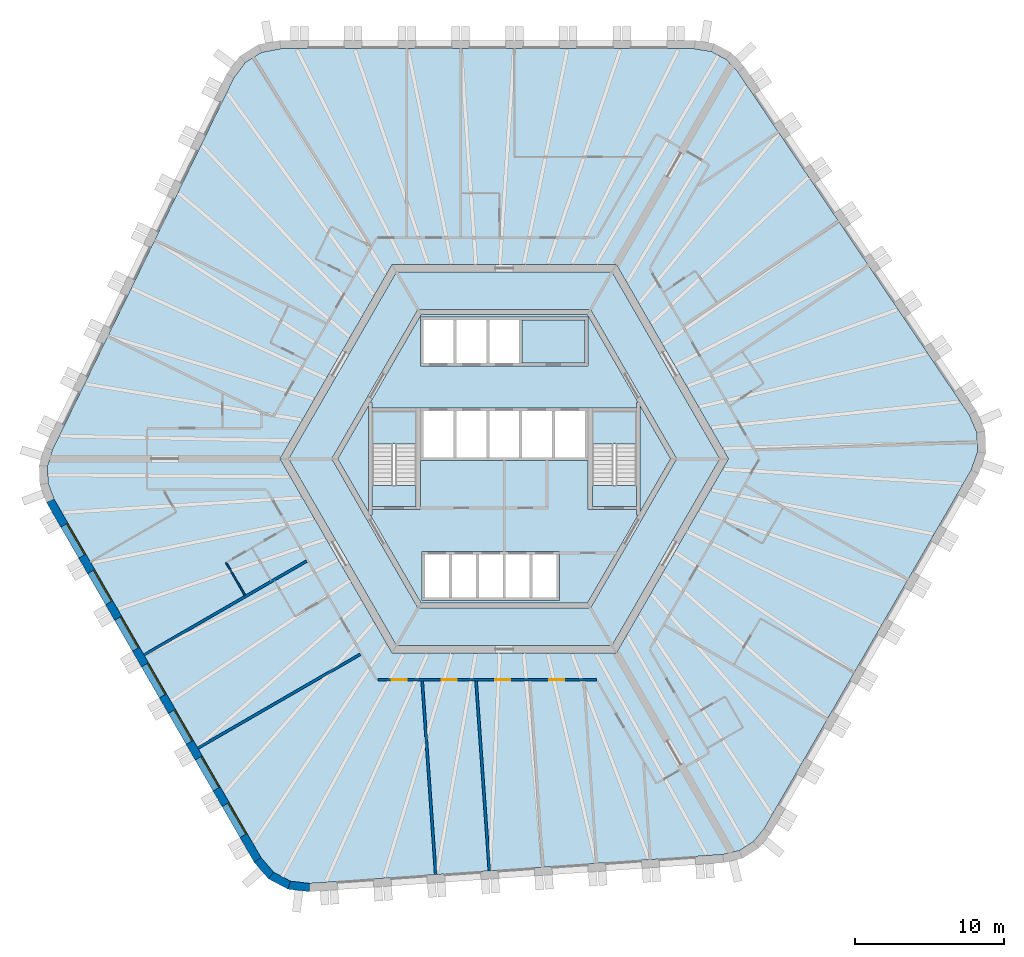
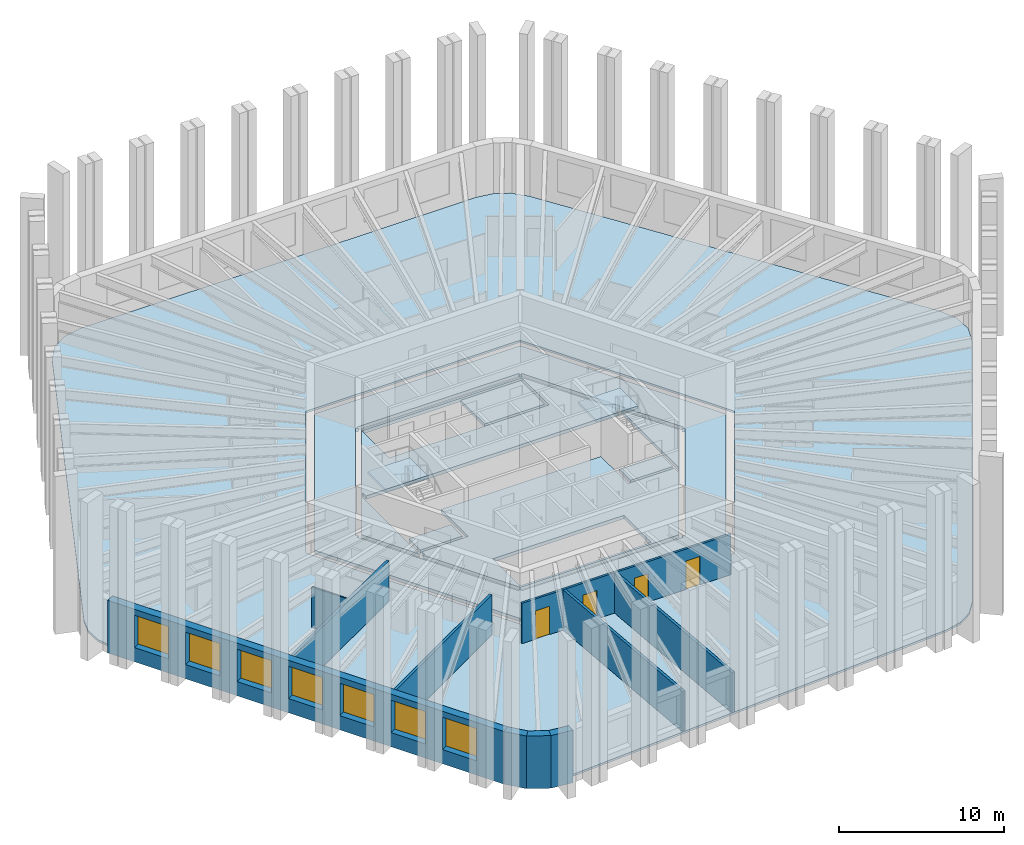
# One storey, part 2 of 10: 11 slabs, 10 walls, 7 windows, 4 doors, 11 openings, 2 elements without a shape of their own.
"""IFC4 building model written with IfcOpenShell, lengths in metres."""

from ifc_helpers import new_model, si_unit, direction, frame, frame_2d, origin, place, context, subcontext, project, spatial, polyline, rectangle, outline, extrude, material, layer, layer_set, type_object, element, fill, aggregate, save


model = new_model("IFC4")

# Units and contexts
model_context = context("Model", 3, precision=1e-05, world=origin(), true_north=direction((0.0, 1.0)))
body_context = subcontext(model_context, "Body", "Model", "MODEL_VIEW")
ifc_project = project(units=[si_unit("LENGTHUNIT", "METRE"), si_unit("AREAUNIT", "SQUARE_METRE"), si_unit("VOLUMEUNIT", "CUBIC_METRE"), si_unit("PLANEANGLEUNIT", "RADIAN"), si_unit("MASSUNIT", "GRAM", prefix="KILO")], contexts=[model_context])

# Site, building, storey
site_placement = place(None, origin())
site = spatial("IfcSite", under=ifc_project, at=site_placement, CompositionType="ELEMENT")
building_placement = place(site_placement, origin())
building = spatial("IfcBuilding", under=site, at=building_placement, Name="Tarnside Tower", CompositionType="ELEMENT")
storey_placement = place(building_placement, frame((0.0, 0.0, 226.800048828125)))
storey = spatial("IfcBuildingStorey", under=building, at=storey_placement, Name="L54", CompositionType="ELEMENT", Elevation=226.800048828125)

# Slabs
ifc_material_1 = material(Name="Concrete C35/45", Category="concrete")
ifc_layer_1 = layer(ifc_material_1, 0.14990234375)
ifc_layer_set_1 = layer_set([ifc_layer_1], Name="Composite floor slab 150")
slab_type_1 = type_object("IfcSlabType", Name="Composite floor slab 150", PredefinedType="FLOOR", material=ifc_layer_set_1)
slab_1_placement = place(storey_placement, frame((0.0, 0.0, -0.150146484375)))
element("IfcSlab", 1, at=slab_1_placement, inside=storey, type_object=slab_type_1, Name="Floor slab L54", PredefinedType="FLOOR", context=body_context, shape_type="SweptSolid", body=[
    extrude(outline(polyline([(13.864013671875, 27.264892578125), (14.85107421875, 26.740234375), (15.6337890625, 25.91064453125), (31.12890625, 2.938232421875), (31.644287109375, 1.7431640625), (31.68896484375, 0.468505859375), (31.258056640625, -0.759521484375), (17.403076171875, -24.7568359375), (16.68017578125, -25.63916015625), (15.732177734375, -26.2314453125), (14.622314453125, -26.494384765625), (-13.02001953125, -28.427490234375), (-14.3125, -28.2763671875), (-15.438720703125, -27.677490234375), (-16.286865234375, -26.6904296875), (-30.1416015625, -2.693115234375), (-30.544189453125, -1.6259765625), (-30.583251953125, -0.5087890625), (-30.256103515625, 0.583984375), (-18.10888671875, 25.4892578125), (-17.331787109375, 26.533203125), (-16.250244140625, 27.208984375), (-14.97119140625, 27.449951171875), (12.738525390625, 27.449951171875), (13.864013671875, 27.264892578125)]), holes=[polyline([(-15.010986328125, 0.0), (-7.505615234375, -13.0), (7.505615234375, -13.0), (15.010986328125, 0.0), (7.505615234375, 13.0), (-7.505615234375, 13.0), (-15.010986328125, 0.0)])]), origin(), (0.0, 0.0, 1.0), 0.150146484375),
])
ifc_material_2 = material(Name="Concrete C40/50", Category="concrete")
ifc_layer_2 = layer(ifc_material_2, 0.25)
ifc_layer_set_2 = layer_set([ifc_layer_2], Name="Core slab C40/50")
slab_type_2 = type_object("IfcSlabType", Name="Core slab C40/50", PredefinedType="FLOOR", material=ifc_layer_set_2)
slab_2_placement = place(storey_placement, frame((0.0, 0.0, -0.25)))
element("IfcSlab", 2, at=slab_2_placement, inside=storey, type_object=slab_type_2, Name="L54 core floor slab 1", PredefinedType="FLOOR", context=body_context, shape_type="SweptSolid", body=[
    extrude(outline(polyline([(-7.216796875, 12.5), (7.216796875, 12.5), (14.433837890625, 0.0), (7.216796875, -12.5), (-7.216796875, -12.5), (-14.433837890625, 0.0), (-7.216796875, 12.5)]), holes=[polyline([(5.823974609375, -9.91259765625), (11.49658203125, -0.08740234375), (11.344970703125, 0.0), (11.49658203125, 0.08740234375), (5.823974609375, 9.91259765625), (5.672607421875, 9.824951171875), (5.672607421875, 10.0), (-5.672607421875, 10.0), (-5.672607421875, 9.824951171875), (-5.823974609375, 9.91259765625), (-11.49658203125, 0.08740234375), (-11.344970703125, 0.0), (-11.49658203125, -0.08740234375), (-5.823974609375, -9.91259765625), (-5.672607421875, -9.824951171875), (-5.672607421875, -10.0), (5.672607421875, -10.0), (5.672607421875, -9.824951171875), (5.823974609375, -9.91259765625)])]), origin(), (0.0, 0.0, 1.0), 0.25),
])
slab_3_placement = place(storey_placement, frame((0.0, 0.0, -0.25)))
element("IfcSlab", 3, at=slab_3_placement, inside=storey, type_object=slab_type_2, Name="L54 core floor slab 2", PredefinedType="FLOOR", context=body_context, shape_type="SweptSolid", body=[
    extrude(outline(polyline([(-8.97509765625, 3.7548828125), (-5.5712890625, 9.64990234375), (5.5712890625, 9.64990234375), (8.97509765625, 3.7548828125), (8.85009765625, 3.7548828125), (8.85009765625, 3.39990234375), (5.89990234375, 3.39990234375), (5.60009765625, 3.39990234375), (5.60009765625, 3.39990234375), (-5.60009765625, 3.39990234375), (-5.89990234375, 3.39990234375), (-8.85009765625, 3.39990234375), (-8.85009765625, 3.7548828125), (-8.97509765625, 3.7548828125)]), holes=[polyline([(-5.60009765625, 6.199951171875), (5.60009765625, 6.199951171875), (5.60009765625, 6.39990234375), (5.60009765625, 9.300048828125), (5.60009765625, 9.5), (-5.60009765625, 9.5), (-5.60009765625, 9.300048828125), (-5.60009765625, 6.39990234375), (-5.60009765625, 6.199951171875)])]), origin(), (0.0, 0.0, 1.0), 0.25),
])
slab_4_placement = place(storey_placement, frame((0.0, 0.0, -0.25)))
element("IfcSlab", 4, at=slab_4_placement, inside=storey, type_object=slab_type_2, Name="L54 core floor slab 3", PredefinedType="FLOOR", context=body_context, shape_type="SweptSolid", body=[
    extrude(outline(polyline([(5.60009765625, -3.39990234375), (5.89990234375, -3.39990234375), (8.85009765625, -3.39990234375), (8.85009765625, -3.7548828125), (8.97509765625, -3.7548828125), (5.5712890625, -9.64990234375), (-5.5712890625, -9.64990234375), (-8.97509765625, -3.7548828125), (-8.85009765625, -3.7548828125), (-8.85009765625, -3.39990234375), (-5.89990234375, -3.39990234375), (-5.60009765625, -3.39990234375), (-5.60009765625, -0.10009765625), (5.60009765625, -0.10009765625), (5.60009765625, -3.39990234375)]), holes=[polyline([(-5.5, -9.300048828125), (-5.5, -9.5), (3.699951171875, -9.5), (3.699951171875, -9.300048828125), (3.699951171875, -6.39990234375), (3.699951171875, -6.199951171875), (-5.5, -6.199951171875), (-5.5, -6.39990234375), (-5.5, -9.300048828125)])]), origin(), (0.0, 0.0, 1.0), 0.25),
])
slab_5_placement = place(storey_placement, frame((0.0, 0.0, -0.25)))
element("IfcSlab", 5, at=slab_5_placement, inside=storey, type_object=slab_type_2, Name="L54 core floor slab 4", PredefinedType="FLOOR", context=body_context, shape_type="SweptSolid", body=[
    extrude(outline(polyline([(-11.142822265625, 0.0), (-9.10009765625, 3.538330078125), (-9.10009765625, -3.538330078125), (-11.142822265625, 0.0)])), origin(), (0.0, 0.0, 1.0), 0.25),
])
slab_6_placement = place(storey_placement, frame((0.0, 0.0, -0.25)))
element("IfcSlab", 6, at=slab_6_placement, inside=storey, type_object=slab_type_2, Name="L54 core floor slab 5", PredefinedType="FLOOR", context=body_context, shape_type="SweptSolid", body=[
    extrude(outline(polyline([(-8.85009765625, -1.800048828125), (-5.89990234375, -1.800048828125), (-5.89990234375, -3.199951171875), (-8.85009765625, -3.199951171875), (-8.85009765625, -1.800048828125)])), origin(), (0.0, 0.0, 1.0), 0.25),
])
slab_7_placement = place(storey_placement, frame((0.0, 0.0, -0.25)))
element("IfcSlab", 7, at=slab_7_placement, inside=storey, type_object=slab_type_2, Name="L54 core floor slab 6", PredefinedType="FLOOR", context=body_context, shape_type="SweptSolid", body=[
    extrude(outline(polyline([(5.89990234375, -3.199951171875), (5.89990234375, -1.800048828125), (8.85009765625, -1.800048828125), (8.85009765625, -3.199951171875), (5.89990234375, -3.199951171875)])), origin(), (0.0, 0.0, 1.0), 0.25),
])
slab_8_placement = place(storey_placement, frame((0.0, 0.0, -0.25)))
element("IfcSlab", 8, at=slab_8_placement, inside=storey, type_object=slab_type_2, Name="L54 core floor slab 7", PredefinedType="FLOOR", context=body_context, shape_type="SweptSolid", body=[
    extrude(outline(polyline([(9.10009765625, -3.538330078125), (9.10009765625, 3.538330078125), (11.142822265625, 0.0), (9.10009765625, -3.538330078125)])), origin(), (0.0, 0.0, 1.0), 0.25),
])
slab_9_placement = place(storey_placement, frame((0.0, 0.0, -0.25)))
element("IfcSlab", 9, at=slab_9_placement, inside=storey, type_object=slab_type_2, Name="L54 core floor slab 8", PredefinedType="FLOOR", context=body_context, shape_type="SweptSolid", body=[
    extrude(outline(polyline([(5.39990234375, 9.300048828125), (5.39990234375, 6.39990234375), (1.199951171875, 6.39990234375), (1.199951171875, 9.300048828125), (5.39990234375, 9.300048828125)])), origin(), (0.0, 0.0, 1.0), 0.25),
])

# Stair, slab
stair_type = type_object("IfcStairType", Name="Exit stair 1400 clear", PredefinedType="HALF_TURN_STAIR", material=ifc_material_2)
stair_1_placement = place(storey_placement, origin())
stair_1 = element("IfcStair", 10, at=stair_1_placement, inside=storey, type_object=stair_type, Name="L54 Exit stair 1", PredefinedType="HALF_TURN_STAIR")
ifc_layer_3 = layer(ifc_material_2, 0.199951171875)
ifc_layer_set_3 = layer_set([ifc_layer_3], Name="Stair landing 200 C40/50")
slab_type_3 = type_object("IfcSlabType", Name="Stair landing 200 C40/50", PredefinedType="LANDING", material=ifc_layer_set_3)
slab_10_placement = place(storey_placement, frame((0.0, 0.0, 1.75)))
slab_10 = element("IfcSlab", 11, at=slab_10_placement, type_object=slab_type_3, Name="ST1 landing 1", PredefinedType="LANDING", context=body_context, shape_type="SweptSolid", body=[
    extrude(outline(polyline([(8.85009765625, 1.0), (8.85009765625, 3.199951171875), (5.89990234375, 3.199951171875), (5.89990234375, 1.0), (8.85009765625, 1.0)])), origin(), (0.0, 0.0, 1.0), 0.199951171875),
])
aggregate(stair_1, [slab_10])

stair_2_placement = place(storey_placement, origin())
stair_2 = element("IfcStair", 12, at=stair_2_placement, inside=storey, type_object=stair_type, Name="L54 Exit stair 2", PredefinedType="HALF_TURN_STAIR")
slab_11_placement = place(storey_placement, frame((0.0, 0.0, 1.75)))
slab_11 = element("IfcSlab", 13, at=slab_11_placement, type_object=slab_type_3, Name="ST2 landing 1", PredefinedType="LANDING", context=body_context, shape_type="SweptSolid", body=[
    extrude(outline(polyline([(-5.89990234375, 1.0), (-5.89990234375, 3.199951171875), (-8.85009765625, 3.199951171875), (-8.85009765625, 1.0), (-5.89990234375, 1.0)])), origin(), (0.0, 0.0, 1.0), 0.199951171875),
])
aggregate(stair_2, [slab_11])

# Wall, openings, doors
ifc_material_3 = material(Name="Gypsum board partition on steel studs", Category="steel")
ifc_layer_4 = layer(ifc_material_3, 0.14990234375)
ifc_layer_set_4 = layer_set([ifc_layer_4], Name="Corridor wall 150 EI 60")
wall_type_1 = type_object("IfcWallType", Name="Corridor wall 150 EI 60", PredefinedType="PARTITIONING", material=ifc_layer_set_4)
wall_1_placement = place(storey_placement, frame((-8.458251953125, -14.800048828125, 0.0), z_axis=(0.0, 0.0, 1.0), x_axis=(1.0, 0.0, 0.0)))
wall_1 = element("IfcWall", 14, at=wall_1_placement, inside=storey, type_object=wall_type_1, Name="Corridor wall 18026", PredefinedType="PARTITIONING", context=body_context, shape_type="SweptSolid", body=[
    extrude(rectangle(XDim=14.635986328125, YDim=0.14990234375, at=frame_2d((7.31787109375, 0.0))), origin(), (0.0, 0.0, 1.0), 2.98779296875),
])
opening_1_placement = place(wall_1_placement, frame((0.936279296875, 0.0, 0.0)))
opening_1 = element("IfcOpeningElement", 15, at=opening_1_placement, cuts=wall_1, Name="Opening D-E1", PredefinedType="OPENING", context=body_context, shape_type="SweptSolid", body=[
    extrude(rectangle(XDim=1.0, YDim=2.10009765625, at=frame_2d((0.5, 1.050048828125))), frame((0.0, 0.0849609375, 0.0), z_axis=(0.0, -1.0, 0.0), x_axis=(1.0, 0.0, 0.0)), (0.0, 0.0, 1.0), 0.169921875),
])
opening_2_placement = place(wall_1_placement, frame((4.263671875, 0.0, 0.0)))
opening_2 = element("IfcOpeningElement", 16, at=opening_2_placement, cuts=wall_1, Name="Opening D-E1", PredefinedType="OPENING", context=body_context, shape_type="SweptSolid", body=[
    extrude(rectangle(XDim=1.0, YDim=2.10009765625, at=frame_2d((0.5, 1.050048828125))), frame((0.0, 0.0849609375, 0.0), z_axis=(0.0, -1.0, 0.0), x_axis=(1.0, 0.0, 0.0)), (0.0, 0.0, 1.0), 0.169921875),
])
opening_3_placement = place(wall_1_placement, frame((7.872314453125, 0.0, 0.0)))
opening_3 = element("IfcOpeningElement", 17, at=opening_3_placement, cuts=wall_1, Name="Opening D-E1", PredefinedType="OPENING", context=body_context, shape_type="SweptSolid", body=[
    extrude(rectangle(XDim=1.0, YDim=2.10009765625, at=frame_2d((0.5, 1.050048828125))), frame((0.0, 0.0849609375, 0.0), z_axis=(0.0, -1.0, 0.0), x_axis=(1.0, 0.0, 0.0)), (0.0, 0.0, 1.0), 0.169921875),
])
opening_4_placement = place(wall_1_placement, frame((11.481201171875, 0.0, 0.0)))
opening_4 = element("IfcOpeningElement", 18, at=opening_4_placement, cuts=wall_1, Name="Opening D-E1", PredefinedType="OPENING", context=body_context, shape_type="SweptSolid", body=[
    extrude(rectangle(XDim=1.0, YDim=2.10009765625, at=frame_2d((0.5, 1.050048828125))), frame((0.0, 0.0849609375, 0.0), z_axis=(0.0, -1.0, 0.0), x_axis=(1.0, 0.0, 0.0)), (0.0, 0.0, 1.0), 0.169921875),
])
ifc_material_4 = material(Name="Timber door leaf", Category="wood")
door_type = type_object("IfcDoorType", Name="Unit entrance door 1000 FD30S", OperationType="NOTDEFINED", PredefinedType="DOOR", material=ifc_material_4)
door_1_placement = place(opening_1_placement, origin())
door_1 = element("IfcDoor", 19, at=door_1_placement, inside=storey, type_object=door_type, Name="Unit door 18018", OperationType="SINGLE_SWING_RIGHT", OverallHeight=2.10009765625, OverallWidth=1.0, PredefinedType="DOOR", context=body_context, shape_type="SweptSolid", body=[
    extrude(rectangle(XDim=1.0, YDim=2.10009765625, at=frame_2d((0.5, 1.050048828125))), frame((0.0, 0.02490234375, 0.0), z_axis=(0.0, -1.0, 0.0), x_axis=(1.0, 0.0, 0.0)), (0.0, 0.0, 1.0), 0.050048828125),
])
fill(opening_1, door_1)
door_2_placement = place(opening_2_placement, origin())
door_2 = element("IfcDoor", 20, at=door_2_placement, inside=storey, type_object=door_type, Name="Unit door 18019", OperationType="SINGLE_SWING_RIGHT", OverallHeight=2.10009765625, OverallWidth=1.0, PredefinedType="DOOR", context=body_context, shape_type="SweptSolid", body=[
    extrude(rectangle(XDim=1.0, YDim=2.10009765625, at=frame_2d((0.5, 1.050048828125))), frame((0.0, 0.02490234375, 0.0), z_axis=(0.0, -1.0, 0.0), x_axis=(1.0, 0.0, 0.0)), (0.0, 0.0, 1.0), 0.050048828125),
])
fill(opening_2, door_2)
door_3_placement = place(opening_3_placement, origin())
door_3 = element("IfcDoor", 21, at=door_3_placement, inside=storey, type_object=door_type, Name="Unit door 18020", OperationType="SINGLE_SWING_RIGHT", OverallHeight=2.10009765625, OverallWidth=1.0, PredefinedType="DOOR", context=body_context, shape_type="SweptSolid", body=[
    extrude(rectangle(XDim=1.0, YDim=2.10009765625, at=frame_2d((0.5, 1.050048828125))), frame((0.0, 0.02490234375, 0.0), z_axis=(0.0, -1.0, 0.0), x_axis=(1.0, 0.0, 0.0)), (0.0, 0.0, 1.0), 0.050048828125),
])
fill(opening_3, door_3)
door_4_placement = place(opening_4_placement, origin())
door_4 = element("IfcDoor", 22, at=door_4_placement, inside=storey, type_object=door_type, Name="Unit door 18021", OperationType="SINGLE_SWING_RIGHT", OverallHeight=2.10009765625, OverallWidth=1.0, PredefinedType="DOOR", context=body_context, shape_type="SweptSolid", body=[
    extrude(rectangle(XDim=1.0, YDim=2.10009765625, at=frame_2d((0.5, 1.050048828125))), frame((0.0, 0.02490234375, 0.0), z_axis=(0.0, -1.0, 0.0), x_axis=(1.0, 0.0, 0.0)), (0.0, 0.0, 1.0), 0.050048828125),
])
fill(opening_4, door_4)

# Walls
ifc_layer_5 = layer(ifc_material_3, 0.179931640625)
ifc_layer_set_5 = layer_set([ifc_layer_5], Name="Demising wall 180 EI 60")
wall_type_2 = type_object("IfcWallType", Name="Demising wall 180 EI 60", PredefinedType="PARTITIONING", material=ifc_layer_set_5)
wall_2_placement = place(storey_placement, frame((-24.113525390625, -13.13427734375, 0.0), z_axis=(0.0, 0.0, 1.0), x_axis=(0.866024255907, 0.500001988177, 0.0)))
element("IfcWall", 23, at=wall_2_placement, inside=storey, type_object=wall_type_2, Name="Demising wall 18074", PredefinedType="PARTITIONING", context=body_context, shape_type="SweptSolid", body=[
    extrude(rectangle(XDim=12.5751953125, YDim=0.179931640625, at=frame_2d((6.28759765625, 0.0))), origin(), (0.0, 0.0, 1.0), 2.98779296875),
])
wall_3_placement = place(storey_placement, frame((-20.513427734375, -19.36962890625, 0.0), z_axis=(0.0, 0.0, 1.0), x_axis=(0.866019402111, 0.500010395058, 0.0)))
element("IfcWall", 24, at=wall_3_placement, inside=storey, type_object=wall_type_2, Name="Demising wall 18081", PredefinedType="PARTITIONING", context=body_context, shape_type="SweptSolid", body=[
    extrude(rectangle(XDim=12.574951171875, YDim=0.179931640625, at=frame_2d((6.28759765625, 0.0))), origin(), (0.0, 0.0, 1.0), 2.98779296875),
])
wall_4_placement = place(storey_placement, frame((-4.587158203125, -27.837890625, 0.0), z_axis=(0.0, 0.0, 1.0), x_axis=(-0.069759577234, 0.997563833238, 0.0)))
element("IfcWall", 25, at=wall_4_placement, inside=storey, type_object=wall_type_2, Name="Demising wall 18082", PredefinedType="PARTITIONING", context=body_context, shape_type="SweptSolid", body=[
    extrude(rectangle(XDim=12.99462890625, YDim=0.179931640625, at=frame_2d((6.497314453125, 0.0))), origin(), (0.0, 0.0, 1.0), 2.98779296875),
])
wall_5_placement = place(storey_placement, frame((-0.99609375, -27.586669921875, 0.0), z_axis=(0.0, 0.0, 1.0), x_axis=(-0.069758774678, 0.99756388936, 0.0)))
element("IfcWall", 26, at=wall_5_placement, inside=storey, type_object=wall_type_2, Name="Demising wall 18083", PredefinedType="PARTITIONING", context=body_context, shape_type="SweptSolid", body=[
    extrude(rectangle(XDim=12.74267578125, YDim=0.179931640625, at=frame_2d((6.371337890625, 0.0))), origin(), (0.0, 0.0, 1.0), 2.98779296875),
])
ifc_layer_6 = layer(ifc_material_3, 0.10009765625)
ifc_layer_set_6 = layer_set([ifc_layer_6], Name="Partition 100")
wall_type_3 = type_object("IfcWallType", Name="Partition 100", PredefinedType="PARTITIONING", material=ifc_layer_set_6)
wall_6_placement = place(storey_placement, frame((-17.360107421875, -9.13134765625, 0.0), z_axis=(0.0, 0.0, 1.0), x_axis=(-0.50001992892, 0.866013897511, 0.0)))
element("IfcWall", 27, at=wall_6_placement, inside=storey, type_object=wall_type_3, Name="Partition wall 18070", PredefinedType="PARTITIONING", context=body_context, shape_type="SweptSolid", body=[
    extrude(rectangle(XDim=2.51025390625, YDim=0.10009765625, at=frame_2d((1.255126953125, 0.0))), origin(), (0.0, 0.0, 1.0), 2.98779296875),
])

# Wall, openings, windows
ifc_material_5 = material(Name="Facing brick", Category="masonry")
ifc_layer_7 = layer(ifc_material_5, 0.10205078125)
ifc_material_6 = material(Name="Concrete C60/75 precast", Category="concrete")
ifc_layer_8 = layer(ifc_material_6, 0.347900390625)
ifc_material_7 = material(Name="Mineral wool insulation")
ifc_layer_9 = layer(ifc_material_7, 0.10009765625)
ifc_layer_set_7 = layer_set([ifc_layer_7, ifc_layer_8, ifc_layer_9], Name="Tube wall 550 brick faced")
wall_type_4 = type_object("IfcWallType", Name="Tube wall 550 brick faced", PredefinedType="SOLIDWALL", material=ifc_layer_set_7)
wall_7_placement = place(storey_placement, frame((-30.39111328125, -2.81103515625, -0.150146484375), z_axis=(0.0, 0.0, 1.0), x_axis=(0.499998569178, -0.866026229868, 0.0)))
wall_7 = element("IfcWall", 28, at=wall_7_placement, inside=storey, type_object=wall_type_4, Name="Tube wall L54 F3 flush 08", PredefinedType="SOLIDWALL", context=body_context, shape_type="SweptSolid", body=[
    extrude(outline(polyline([(-0.0224609375, -0.27490234375), (27.783447265625, -0.27490234375), (27.732177734375, 0.27490234375), (0.0224609375, 0.27490234375), (-0.0224609375, -0.27490234375)])), origin(), (0.0, 0.0, 1.0), 3.900146484375),
])
opening_5_placement = place(wall_7_placement, frame((1.87890625, 0.0, 1.050048828125)))
opening_5 = element("IfcOpeningElement", 29, at=opening_5_placement, cuts=wall_7, Name="Opening WH", PredefinedType="OPENING", context=body_context, shape_type="SweptSolid", body=[
    extrude(rectangle(XDim=2.39990234375, YDim=2.39990234375, at=frame_2d((1.199951171875, 1.199951171875))), frame((0.0, 0.28515625, 0.0), z_axis=(0.0, -1.0, 0.0), x_axis=(1.0, 0.0, 0.0)), (0.0, 0.0, 1.0), 0.570068359375),
])
opening_6_placement = place(wall_7_placement, frame((5.47900390625, 0.0, 1.050048828125)))
opening_6 = element("IfcOpeningElement", 30, at=opening_6_placement, cuts=wall_7, Name="Opening WH", PredefinedType="OPENING", context=body_context, shape_type="SweptSolid", body=[
    extrude(rectangle(XDim=2.39990234375, YDim=2.39990234375, at=frame_2d((1.199951171875, 1.199951171875))), frame((0.0, 0.28515625, 0.0), z_axis=(0.0, -1.0, 0.0), x_axis=(1.0, 0.0, 0.0)), (0.0, 0.0, 1.0), 0.570068359375),
])
opening_7_placement = place(wall_7_placement, frame((9.078857421875, 0.0, 1.050048828125)))
opening_7 = element("IfcOpeningElement", 31, at=opening_7_placement, cuts=wall_7, Name="Opening WH", PredefinedType="OPENING", context=body_context, shape_type="SweptSolid", body=[
    extrude(rectangle(XDim=2.39990234375, YDim=2.39990234375, at=frame_2d((1.199951171875, 1.199951171875))), frame((0.0, 0.28515625, 0.0), z_axis=(0.0, -1.0, 0.0), x_axis=(1.0, 0.0, 0.0)), (0.0, 0.0, 1.0), 0.570068359375),
])
opening_8_placement = place(wall_7_placement, frame((12.678955078125, 0.0, 1.050048828125)))
opening_8 = element("IfcOpeningElement", 32, at=opening_8_placement, cuts=wall_7, Name="Opening WH", PredefinedType="OPENING", context=body_context, shape_type="SweptSolid", body=[
    extrude(rectangle(XDim=2.39990234375, YDim=2.39990234375, at=frame_2d((1.199951171875, 1.199951171875))), frame((0.0, 0.28515625, 0.0), z_axis=(0.0, -1.0, 0.0), x_axis=(1.0, 0.0, 0.0)), (0.0, 0.0, 1.0), 0.570068359375),
])
opening_9_placement = place(wall_7_placement, frame((16.27880859375, 0.0, 1.050048828125)))
opening_9 = element("IfcOpeningElement", 33, at=opening_9_placement, cuts=wall_7, Name="Opening WH", PredefinedType="OPENING", context=body_context, shape_type="SweptSolid", body=[
    extrude(rectangle(XDim=2.39990234375, YDim=2.39990234375, at=frame_2d((1.199951171875, 1.199951171875))), frame((0.0, 0.28515625, 0.0), z_axis=(0.0, -1.0, 0.0), x_axis=(1.0, 0.0, 0.0)), (0.0, 0.0, 1.0), 0.570068359375),
])
opening_10_placement = place(wall_7_placement, frame((19.87890625, 0.0, 1.050048828125)))
opening_10 = element("IfcOpeningElement", 34, at=opening_10_placement, cuts=wall_7, Name="Opening WH", PredefinedType="OPENING", context=body_context, shape_type="SweptSolid", body=[
    extrude(rectangle(XDim=2.39990234375, YDim=2.39990234375, at=frame_2d((1.199951171875, 1.199951171875))), frame((0.0, 0.28515625, 0.0), z_axis=(0.0, -1.0, 0.0), x_axis=(1.0, 0.0, 0.0)), (0.0, 0.0, 1.0), 0.570068359375),
])
opening_11_placement = place(wall_7_placement, frame((23.47900390625, 0.0, 1.050048828125)))
opening_11 = element("IfcOpeningElement", 35, at=opening_11_placement, cuts=wall_7, Name="Opening WH", PredefinedType="OPENING", context=body_context, shape_type="SweptSolid", body=[
    extrude(rectangle(XDim=2.39990234375, YDim=2.39990234375, at=frame_2d((1.199951171875, 1.199951171875))), frame((0.0, 0.28515625, 0.0), z_axis=(0.0, -1.0, 0.0), x_axis=(1.0, 0.0, 0.0)), (0.0, 0.0, 1.0), 0.570068359375),
])
ifc_material_8 = material(Name="Aluminium-framed double glazing", Category="aluminium")
window_type = type_object("IfcWindowType", Name="Hotel window 2400 x 2400", PartitioningType="DOUBLE_PANEL_VERTICAL", PredefinedType="WINDOW", material=ifc_material_8)
window_1_placement = place(opening_5_placement, frame((0.0, 0.205078125, 0.0)))
window_1 = element("IfcWindow", 36, at=window_1_placement, inside=storey, type_object=window_type, Name="E.WN.L54.F3.00", OverallHeight=2.39990234375, OverallWidth=2.39990234375, PartitioningType="DOUBLE_PANEL_VERTICAL", PredefinedType="WINDOW", context=body_context, shape_type="SweptSolid", body=[
    extrude(rectangle(XDim=2.39990234375, YDim=2.39990234375, at=frame_2d((1.199951171875, 1.199951171875))), frame((0.0, 0.030029296875, 0.0), z_axis=(0.0, -1.0, 0.0), x_axis=(1.0, 0.0, 0.0)), (0.0, 0.0, 1.0), 0.06005859375),
])
fill(opening_5, window_1)
window_2_placement = place(opening_6_placement, frame((0.0, 0.205078125, 0.0)))
window_2 = element("IfcWindow", 37, at=window_2_placement, inside=storey, type_object=window_type, Name="E.WN.L54.F3.01", OverallHeight=2.39990234375, OverallWidth=2.39990234375, PartitioningType="DOUBLE_PANEL_VERTICAL", PredefinedType="WINDOW", context=body_context, shape_type="SweptSolid", body=[
    extrude(rectangle(XDim=2.39990234375, YDim=2.39990234375, at=frame_2d((1.199951171875, 1.199951171875))), frame((0.0, 0.030029296875, 0.0), z_axis=(0.0, -1.0, 0.0), x_axis=(1.0, 0.0, 0.0)), (0.0, 0.0, 1.0), 0.06005859375),
])
fill(opening_6, window_2)
window_3_placement = place(opening_7_placement, frame((0.0, 0.205078125, 0.0)))
window_3 = element("IfcWindow", 38, at=window_3_placement, inside=storey, type_object=window_type, Name="E.WN.L54.F3.02", OverallHeight=2.39990234375, OverallWidth=2.39990234375, PartitioningType="DOUBLE_PANEL_VERTICAL", PredefinedType="WINDOW", context=body_context, shape_type="SweptSolid", body=[
    extrude(rectangle(XDim=2.39990234375, YDim=2.39990234375, at=frame_2d((1.199951171875, 1.199951171875))), frame((0.0, 0.030029296875, 0.0), z_axis=(0.0, -1.0, 0.0), x_axis=(1.0, 0.0, 0.0)), (0.0, 0.0, 1.0), 0.06005859375),
])
fill(opening_7, window_3)
window_4_placement = place(opening_8_placement, frame((0.0, 0.205078125, 0.0)))
window_4 = element("IfcWindow", 39, at=window_4_placement, inside=storey, type_object=window_type, Name="E.WN.L54.F3.03", OverallHeight=2.39990234375, OverallWidth=2.39990234375, PartitioningType="DOUBLE_PANEL_VERTICAL", PredefinedType="WINDOW", context=body_context, shape_type="SweptSolid", body=[
    extrude(rectangle(XDim=2.39990234375, YDim=2.39990234375, at=frame_2d((1.199951171875, 1.199951171875))), frame((0.0, 0.030029296875, 0.0), z_axis=(0.0, -1.0, 0.0), x_axis=(1.0, 0.0, 0.0)), (0.0, 0.0, 1.0), 0.06005859375),
])
fill(opening_8, window_4)
window_5_placement = place(opening_9_placement, frame((0.0, 0.205078125, 0.0)))
window_5 = element("IfcWindow", 40, at=window_5_placement, inside=storey, type_object=window_type, Name="E.WN.L54.F3.04", OverallHeight=2.39990234375, OverallWidth=2.39990234375, PartitioningType="DOUBLE_PANEL_VERTICAL", PredefinedType="WINDOW", context=body_context, shape_type="SweptSolid", body=[
    extrude(rectangle(XDim=2.39990234375, YDim=2.39990234375, at=frame_2d((1.199951171875, 1.199951171875))), frame((0.0, 0.030029296875, 0.0), z_axis=(0.0, -1.0, 0.0), x_axis=(1.0, 0.0, 0.0)), (0.0, 0.0, 1.0), 0.06005859375),
])
fill(opening_9, window_5)
window_6_placement = place(opening_10_placement, frame((0.0, 0.205078125, 0.0)))
window_6 = element("IfcWindow", 41, at=window_6_placement, inside=storey, type_object=window_type, Name="E.WN.L54.F3.05", OverallHeight=2.39990234375, OverallWidth=2.39990234375, PartitioningType="DOUBLE_PANEL_VERTICAL", PredefinedType="WINDOW", context=body_context, shape_type="SweptSolid", body=[
    extrude(rectangle(XDim=2.39990234375, YDim=2.39990234375, at=frame_2d((1.199951171875, 1.199951171875))), frame((0.0, 0.030029296875, 0.0), z_axis=(0.0, -1.0, 0.0), x_axis=(1.0, 0.0, 0.0)), (0.0, 0.0, 1.0), 0.06005859375),
])
fill(opening_10, window_6)
window_7_placement = place(opening_11_placement, frame((0.0, 0.205078125, 0.0)))
window_7 = element("IfcWindow", 42, at=window_7_placement, inside=storey, type_object=window_type, Name="E.WN.L54.F3.06", OverallHeight=2.39990234375, OverallWidth=2.39990234375, PartitioningType="DOUBLE_PANEL_VERTICAL", PredefinedType="WINDOW", context=body_context, shape_type="SweptSolid", body=[
    extrude(rectangle(XDim=2.39990234375, YDim=2.39990234375, at=frame_2d((1.199951171875, 1.199951171875))), frame((0.0, 0.030029296875, 0.0), z_axis=(0.0, -1.0, 0.0), x_axis=(1.0, 0.0, 0.0)), (0.0, 0.0, 1.0), 0.06005859375),
])
fill(opening_11, window_7)

# Walls
wall_8_placement = place(storey_placement, frame((-16.51220703125, -26.85009765625, -0.150146484375), z_axis=(0.0, 0.0, 1.0), x_axis=(0.651621950847, -0.758543890078, 0.0)))
element("IfcWall", 43, at=wall_8_placement, inside=storey, type_object=wall_type_4, Name="Tube wall L54 F3 chord 09", PredefinedType="SOLIDWALL", context=body_context, shape_type="SweptSolid", body=[
    extrude(outline(polyline([(-0.025634765625, -0.27490234375), (1.430908203125, -0.27490234375), (1.327392578125, 0.27490234375), (0.025634765625, 0.27490234375), (-0.025634765625, -0.27490234375)])), origin(), (0.0, 0.0, 1.0), 3.900146484375),
])
wall_9_placement = place(storey_placement, frame((-15.613525390625, -27.896240234375, -0.150146484375), z_axis=(0.0, 0.0, 1.0), x_axis=(0.882994189209, -0.469383917304, 0.0)))
element("IfcWall", 44, at=wall_9_placement, inside=storey, type_object=wall_type_4, Name="Tube wall L54 F3 chord 10", PredefinedType="SOLIDWALL", context=body_context, shape_type="SweptSolid", body=[
    extrude(outline(polyline([(-0.0517578125, -0.27490234375), (1.4306640625, -0.27490234375), (1.3271484375, 0.27490234375), (0.0517578125, 0.27490234375), (-0.0517578125, -0.27490234375)])), origin(), (0.0, 0.0, 1.0), 3.900146484375),
])
wall_10_placement = place(storey_placement, frame((-14.39599609375, -28.54345703125, -0.150146484375), z_axis=(0.0, 0.0, 1.0), x_axis=(0.993232537394, -0.11614269956, 0.0)))
element("IfcWall", 45, at=wall_10_placement, inside=storey, type_object=wall_type_4, Name="Tube wall L54 F3 chord 11", PredefinedType="SOLIDWALL", context=body_context, shape_type="SweptSolid", body=[
    extrude(outline(polyline([(-0.0517578125, -0.27490234375), (1.404541015625, -0.27490234375), (1.353271484375, 0.27490234375), (0.0517578125, 0.27490234375), (-0.0517578125, -0.27490234375)])), origin(), (0.0, 0.0, 1.0), 3.900146484375),
])

save(model, "model.ifc")
